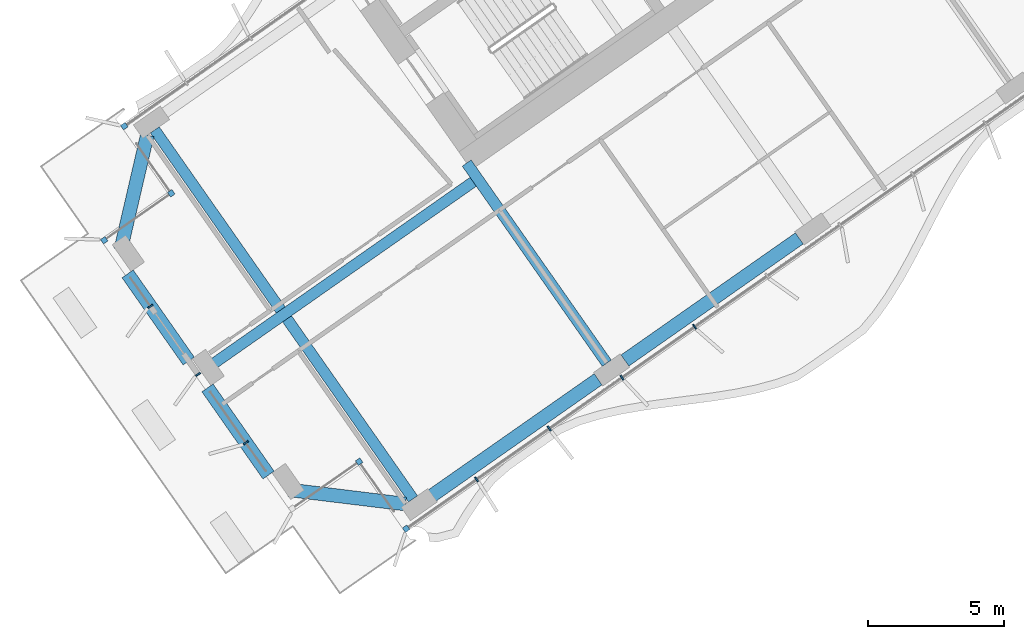
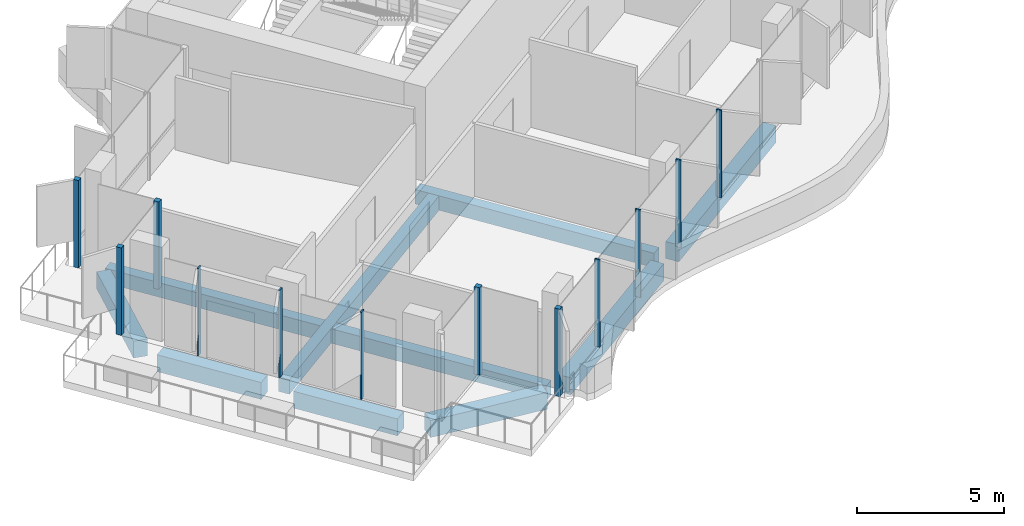
# One storey, part 2 of 22: 12 members, 9 beams, 3 elements without a shape of their own.
"""IFC4 building model written with IfcOpenShell, lengths in metres."""

from ifc_helpers import new_model, si_unit, direction, frame, origin, origin_2d, place, context, subcontext, project, spatial, rectangle, extrude, material, material_profile, profile_set, type_object, element, aggregate, save


model = new_model("IFC4")

# Units and contexts
model_context = context("Model", 3, precision=1e-05, world=origin(), true_north=direction((0.0, 1.0)))
body_context = subcontext(model_context, "Body", "Model", "MODEL_VIEW")
ifc_project = project(units=[si_unit("LENGTHUNIT", "METRE"), si_unit("AREAUNIT", "SQUARE_METRE"), si_unit("VOLUMEUNIT", "CUBIC_METRE"), si_unit("PLANEANGLEUNIT", "RADIAN"), si_unit("MASSUNIT", "GRAM", prefix="KILO")], contexts=[model_context])

# Site, building, storey
site_placement = place(None, origin())
site = spatial("IfcSite", under=ifc_project, at=site_placement, CompositionType="ELEMENT")
building_placement = place(site_placement, origin())
building = spatial("IfcBuilding", under=site, at=building_placement, Name="Tel Ilan Convention Tower", CompositionType="ELEMENT")
storey_placement = place(building_placement, frame((0.0, 0.0, 202.199951171875)))
storey = spatial("IfcBuildingStorey", under=building, at=storey_placement, Name="L47", CompositionType="ELEMENT", Elevation=202.199951171875)

# Beams
ifc_material_1 = material(Name="Concrete C40/50", Category="concrete")
ifc_material_profile_1 = material_profile(ifc_material_1, rectangle(XDim=0.39990234375, YDim=0.60009765625, at=origin_2d()), Name="RC 400x600")
ifc_profile_set_1 = profile_set([ifc_material_profile_1], Name="Concrete C40/50")
beam_type_1 = type_object("IfcBeamType", Name="Beam RC 400x600 Concrete C40/50", PredefinedType="BEAM", material=ifc_profile_set_1)
beam_1_placement = place(storey_placement, frame((-16.58203125, -23.391357421875, -0.579833984375), z_axis=(-0.573584999642, 0.819146048141, 0.0), x_axis=(-0.819146048141, -0.573584999642, 0.0)))
element("IfcBeam", 1, at=beam_1_placement, inside=storey, type_object=beam_type_1, Name="L47 beam W-W-F3-core", PredefinedType="BEAM", context=body_context, shape_type="SweptSolid", body=[
    extrude(rectangle(XDim=0.39990234375, YDim=0.60009765625, at=origin_2d()), origin(), (0.0, 0.0, 1.0), 8.949951171875),
])
beam_2_placement = place(storey_placement, frame((-21.477783203125, -16.748046875, -0.579833984375), z_axis=(-0.819152596417, -0.57357564783, 0.0), x_axis=(0.57357564783, -0.819152596417, 0.0)))
element("IfcBeam", 2, at=beam_2_placement, inside=storey, type_object=beam_type_1, Name="L47 beam W-core-end", PredefinedType="BEAM", context=body_context, shape_type="SweptSolid", body=[
    extrude(rectangle(XDim=0.39990234375, YDim=0.60009765625, at=origin_2d()), origin(), (0.0, 0.0, 1.0), 12.00244140625),
])
beam_3_placement = place(storey_placement, frame((-23.6796875, -28.361083984375, -0.579833984375), z_axis=(-0.573584483202, 0.819146409765, 0.0), x_axis=(-0.819146409765, -0.573584483202, 0.0)))
element("IfcBeam", 3, at=beam_3_placement, inside=storey, type_object=beam_type_1, Name="L47 beam W-W-FC-W-BC", PredefinedType="BEAM", context=body_context, shape_type="SweptSolid", body=[
    extrude(rectangle(XDim=0.39990234375, YDim=0.60009765625, at=origin_2d()), origin(), (0.0, 0.0, 1.0), 16.5),
])
ifc_material_2 = material(Name="Concrete C40/50", Category="concrete")
ifc_material_profile_2 = material_profile(ifc_material_2, rectangle(XDim=0.5, YDim=0.699951171875, at=origin_2d()), Name="RC 500x700")
ifc_profile_set_2 = profile_set([ifc_material_profile_2], Name="Concrete C40/50")
beam_type_2 = type_object("IfcBeamType", Name="Beam RC 500x700 Concrete C40/50", PredefinedType="BEAM", material=ifc_profile_set_2)
beam_4_placement = place(storey_placement, frame((-9.529052734375, -18.819091796875, -0.6298828125), z_axis=(-0.819153977895, -0.573573674866, 0.0), x_axis=(0.573573674866, -0.819153977895, 0.0)))
element("IfcBeam", 4, at=beam_4_placement, inside=storey, type_object=beam_type_2, Name="L47 beam W-W-F2-W-F3", PredefinedType="BEAM", context=body_context, shape_type="SweptSolid", body=[
    extrude(rectangle(XDim=0.5, YDim=0.699951171875, at=origin_2d()), origin(), (0.0, 0.0, 1.0), 7.800048828125),
])
beam_5_placement = place(storey_placement, frame((-16.901611328125, -23.981201171875, -0.6298828125), z_axis=(-0.819147400187, -0.573583068759, 0.0), x_axis=(0.573583068759, -0.819147400187, 0.0)))
element("IfcBeam", 5, at=beam_5_placement, inside=storey, type_object=beam_type_2, Name="L47 beam W-W-F3-W-FC", PredefinedType="BEAM", context=body_context, shape_type="SweptSolid", body=[
    extrude(rectangle(XDim=0.5, YDim=0.699951171875, at=origin_2d()), origin(), (0.0, 0.0, 1.0), 7.46435546875),
])
beam_6_placement = place(storey_placement, frame((-23.953125, -28.552490234375, -0.6298828125), z_axis=(-0.992647372226, 0.121042118346, 0.0), x_axis=(-0.121042118346, -0.992647372226, 0.0)))
element("IfcBeam", 6, at=beam_6_placement, inside=storey, type_object=beam_type_2, Name="L47 beam W-W-FC-W-E1", PredefinedType="BEAM", context=body_context, shape_type="SweptSolid", body=[
    extrude(rectangle(XDim=0.5, YDim=0.699951171875, at=origin_2d()), origin(), (0.0, 0.0, 1.0), 4.308349609375),
])
beam_7_placement = place(storey_placement, frame((-28.974365234375, -27.490478515625, -0.6298828125), z_axis=(-0.573567378001, 0.81915838694, 0.0), x_axis=(-0.81915838694, -0.573567378001, 0.0)))
element("IfcBeam", 7, at=beam_7_placement, inside=storey, type_object=beam_type_2, Name="L47 beam W-W-E1-W-E2", PredefinedType="BEAM", context=body_context, shape_type="SweptSolid", body=[
    extrude(rectangle(XDim=0.5, YDim=0.699951171875, at=origin_2d()), origin(), (0.0, 0.0, 1.0), 3.89990234375),
])
beam_8_placement = place(storey_placement, frame((-31.8994140625, -23.31298828125, -0.6298828125), z_axis=(-0.573579971149, 0.819149569186, 0.0), x_axis=(-0.819149569186, -0.573579971149, 0.0)))
element("IfcBeam", 8, at=beam_8_placement, inside=storey, type_object=beam_type_2, Name="L47 beam W-W-E2-W-E3", PredefinedType="BEAM", context=body_context, shape_type="SweptSolid", body=[
    extrude(rectangle(XDim=0.5, YDim=0.699951171875, at=origin_2d()), origin(), (0.0, 0.0, 1.0), 3.900146484375),
])
beam_9_placement = place(storey_placement, frame((-34.3896484375, -19.233642578125, -0.6298828125), z_axis=(0.225765780941, 0.974181611485, 0.0), x_axis=(-0.974181611485, 0.225765780941, 0.0)))
element("IfcBeam", 9, at=beam_9_placement, inside=storey, type_object=beam_type_2, Name="L47 beam W-W-E3-W-BC", PredefinedType="BEAM", context=body_context, shape_type="SweptSolid", body=[
    extrude(rectangle(XDim=0.5, YDim=0.699951171875, at=origin_2d()), origin(), (0.0, 0.0, 1.0), 4.308349609375),
])

# Curtain wall, members
ifc_material_3 = material(Name="Aluminium, bronze anodised", Category="aluminium")
curtain_wall_type = type_object("IfcCurtainWallType", Name="CW4 STICK CURTAIN WALL, OFFICE TINTED GLASS", PredefinedType="NOTDEFINED", material=ifc_material_3)
curtain_wall_1_placement = place(storey_placement, origin())
curtain_wall_1 = element("IfcCurtainWall", 10, at=curtain_wall_1_placement, inside=storey, type_object=curtain_wall_type, Name="Curtain wall CW4-37.02", PredefinedType="NOTDEFINED")
ifc_material_4 = material(Name="Aluminium, bronze anodised", Category="aluminium")
ifc_material_profile_3 = material_profile(ifc_material_4, rectangle(XDim=0.199951171875, YDim=0.199951171875, at=origin_2d()), Name="CW CORNER MULLION 200x200")
ifc_profile_set_3 = profile_set([ifc_material_profile_3], Name="Aluminium, bronze anodised")
member_type_1 = type_object("IfcMemberType", Name="CW CORNER MULLION 200x200", PredefinedType="MULLION", material=ifc_profile_set_3)
member_1_placement = place(storey_placement, frame((-34.25830078125, -14.7099609375, 0.0), z_axis=(0.0, 0.0, 1.0), x_axis=(-0.819152044289, -0.573576436351, 0.0)))
member_1 = element("IfcMember", 11, at=member_1_placement, type_object=member_type_1, Name="Corner mullion", PredefinedType="MULLION", context=body_context, shape_type="SweptSolid", body=[
    extrude(rectangle(XDim=0.199951171875, YDim=0.199951171875, at=origin_2d()), origin(), (0.0, 0.0, 1.0), 3.6201171875),
])
member_2_placement = place(storey_placement, frame((-32.53759765625, -17.16748046875, 0.0), z_axis=(0.0, 0.0, 1.0), x_axis=(0.573576436351, -0.819152044289, 0.0)))
member_2 = element("IfcMember", 12, at=member_2_placement, type_object=member_type_1, Name="Corner mullion", PredefinedType="MULLION", context=body_context, shape_type="SweptSolid", body=[
    extrude(rectangle(XDim=0.199951171875, YDim=0.199951171875, at=origin_2d()), origin(), (0.0, 0.0, 1.0), 3.6201171875),
])
member_3_placement = place(storey_placement, frame((-34.994873046875, -18.88818359375, 0.0), z_axis=(0.0, 0.0, 1.0), x_axis=(-0.819152044289, -0.573576436351, 0.0)))
member_3 = element("IfcMember", 13, at=member_3_placement, type_object=member_type_1, Name="Corner mullion", PredefinedType="MULLION", context=body_context, shape_type="SweptSolid", body=[
    extrude(rectangle(XDim=0.199951171875, YDim=0.199951171875, at=origin_2d()), origin(), (0.0, 0.0, 1.0), 3.6201171875),
])

curtain_wall_2_placement = place(storey_placement, origin())
curtain_wall_2 = element("IfcCurtainWall", 14, at=curtain_wall_2_placement, inside=storey, type_object=curtain_wall_type, Name="Curtain wall CW4-37.04", PredefinedType="NOTDEFINED")
member_4_placement = place(storey_placement, frame((-25.654541015625, -26.997314453125, 0.0), z_axis=(0.0, 0.0, 1.0), x_axis=(0.819152044289, 0.573576436351, 0.0)))
member_4 = element("IfcMember", 15, at=member_4_placement, type_object=member_type_1, Name="Corner mullion", PredefinedType="MULLION", context=body_context, shape_type="SweptSolid", body=[
    extrude(rectangle(XDim=0.199951171875, YDim=0.199951171875, at=origin_2d()), origin(), (0.0, 0.0, 1.0), 3.6201171875),
])
member_5_placement = place(storey_placement, frame((-23.933837890625, -29.454833984375, 0.0), z_axis=(0.0, 0.0, 1.0), x_axis=(0.573576436351, -0.819152044289, 0.0)))
member_5 = element("IfcMember", 16, at=member_5_placement, type_object=member_type_1, Name="Corner mullion", PredefinedType="MULLION", context=body_context, shape_type="SweptSolid", body=[
    extrude(rectangle(XDim=0.199951171875, YDim=0.199951171875, at=origin_2d()), origin(), (0.0, 0.0, 1.0), 3.6201171875),
])

# Member
ifc_material_5 = material(Name="Aluminium, bronze anodised", Category="aluminium")
ifc_material_profile_4 = material_profile(ifc_material_5, rectangle(XDim=0.06005859375, YDim=0.199951171875, at=origin_2d()), Name="CW MULLION 60x200")
ifc_profile_set_4 = profile_set([ifc_material_profile_4], Name="Aluminium, bronze anodised")
member_type_2 = type_object("IfcMemberType", Name="CW MULLION 60x200", PredefinedType="MULLION", material=ifc_profile_set_4)
member_6_placement = place(storey_placement, frame((-33.302978515625, -21.3046875, 0.0), z_axis=(0.0, 0.0, 1.0), x_axis=(0.573576436351, -0.819152044289, 0.0)))
member_6 = element("IfcMember", 17, at=member_6_placement, type_object=member_type_2, Name="Mullion", PredefinedType="MULLION", context=body_context, shape_type="SweptSolid", body=[
    extrude(rectangle(XDim=0.06005859375, YDim=0.199951171875, at=origin_2d()), origin(), (0.0, 0.0, 1.0), 3.6201171875),
])

aggregate(curtain_wall_1, [member_1, member_2, member_3, member_6])

# Curtain wall, member
curtain_wall_3_placement = place(storey_placement, origin())
curtain_wall_3 = element("IfcCurtainWall", 18, at=curtain_wall_3_placement, inside=storey, type_object=curtain_wall_type, Name="Curtain wall CW4-37.03", PredefinedType="NOTDEFINED")
member_7_placement = place(storey_placement, frame((-31.553466796875, -23.802978515625, 0.0), z_axis=(0.0, 0.0, 1.0), x_axis=(0.573576436351, -0.819152044289, 0.0)))
member_7 = element("IfcMember", 19, at=member_7_placement, type_object=member_type_2, Name="Mullion", PredefinedType="MULLION", context=body_context, shape_type="SweptSolid", body=[
    extrude(rectangle(XDim=0.06005859375, YDim=0.199951171875, at=origin_2d()), origin(), (0.0, 0.0, 1.0), 3.6201171875),
])
aggregate(curtain_wall_3, [member_7])

# Member
member_8_placement = place(storey_placement, frame((-29.80419921875, -26.301513671875, 0.0), z_axis=(0.0, 0.0, 1.0), x_axis=(0.573576436351, -0.819152044289, 0.0)))
member_8 = element("IfcMember", 20, at=member_8_placement, type_object=member_type_2, Name="Mullion", PredefinedType="MULLION", context=body_context, shape_type="SweptSolid", body=[
    extrude(rectangle(XDim=0.06005859375, YDim=0.199951171875, at=origin_2d()), origin(), (0.0, 0.0, 1.0), 3.6201171875),
])

member_9_placement = place(storey_placement, frame((-21.353759765625, -27.648193359375, 0.0), z_axis=(0.0, 0.0, 1.0), x_axis=(0.819152044289, 0.573576436351, 0.0)))
member_9 = element("IfcMember", 21, at=member_9_placement, type_object=member_type_2, Name="Mullion", PredefinedType="MULLION", context=body_context, shape_type="SweptSolid", body=[
    extrude(rectangle(XDim=0.06005859375, YDim=0.199951171875, at=origin_2d()), origin(), (0.0, 0.0, 1.0), 3.6201171875),
])

member_10_placement = place(storey_placement, frame((-18.691650390625, -25.7841796875, 0.0), z_axis=(0.0, 0.0, 1.0), x_axis=(0.819152044289, 0.573576436351, 0.0)))
member_10 = element("IfcMember", 22, at=member_10_placement, type_object=member_type_2, Name="Mullion", PredefinedType="MULLION", context=body_context, shape_type="SweptSolid", body=[
    extrude(rectangle(XDim=0.06005859375, YDim=0.199951171875, at=origin_2d()), origin(), (0.0, 0.0, 1.0), 3.6201171875),
])

member_11_placement = place(storey_placement, frame((-16.029541015625, -23.920166015625, 0.0), z_axis=(0.0, 0.0, 1.0), x_axis=(0.819152044289, 0.573576436351, 0.0)))
member_11 = element("IfcMember", 23, at=member_11_placement, type_object=member_type_2, Name="Mullion", PredefinedType="MULLION", context=body_context, shape_type="SweptSolid", body=[
    extrude(rectangle(XDim=0.06005859375, YDim=0.199951171875, at=origin_2d()), origin(), (0.0, 0.0, 1.0), 3.6201171875),
])

member_12_placement = place(storey_placement, frame((-13.36767578125, -22.05615234375, 0.0), z_axis=(0.0, 0.0, 1.0), x_axis=(0.819152044289, 0.573576436351, 0.0)))
member_12 = element("IfcMember", 24, at=member_12_placement, type_object=member_type_2, Name="Mullion", PredefinedType="MULLION", context=body_context, shape_type="SweptSolid", body=[
    extrude(rectangle(XDim=0.06005859375, YDim=0.199951171875, at=origin_2d()), origin(), (0.0, 0.0, 1.0), 3.6201171875),
])

aggregate(curtain_wall_2, [member_8, member_4, member_5, member_9, member_10, member_11, member_12])

save(model, "model.ifc")
